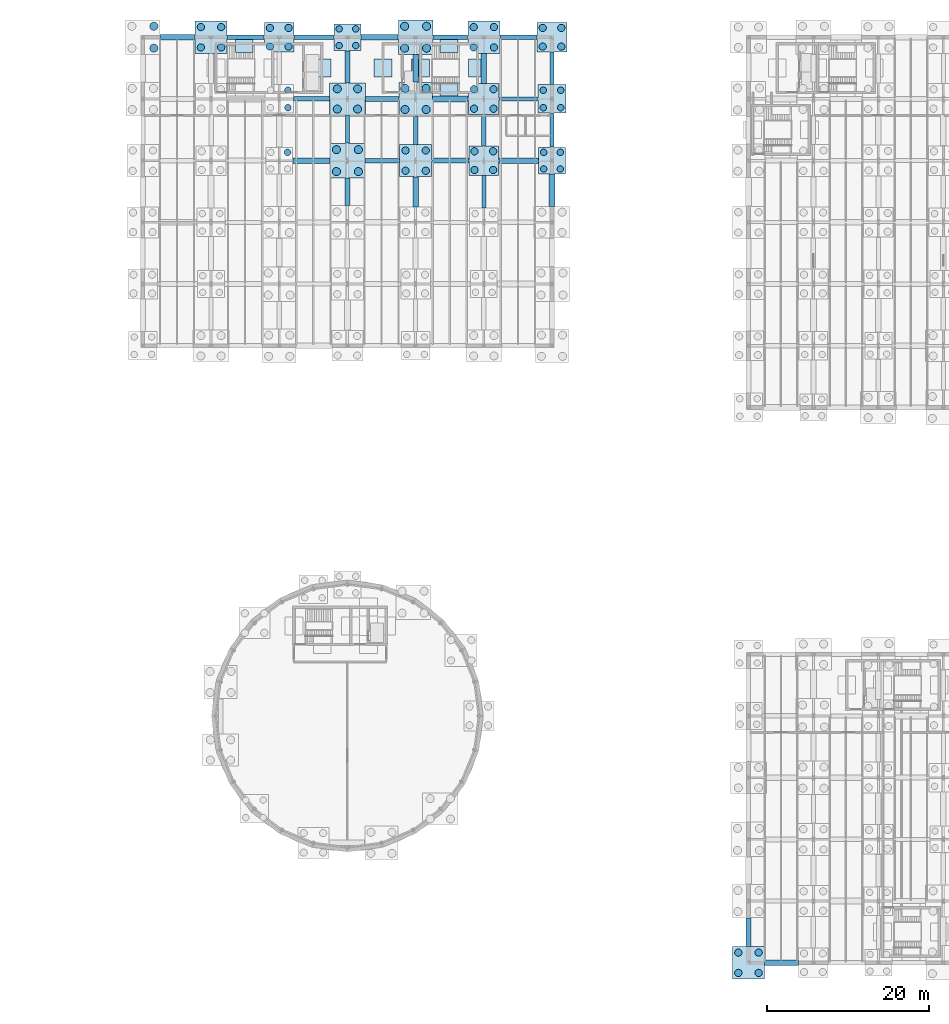
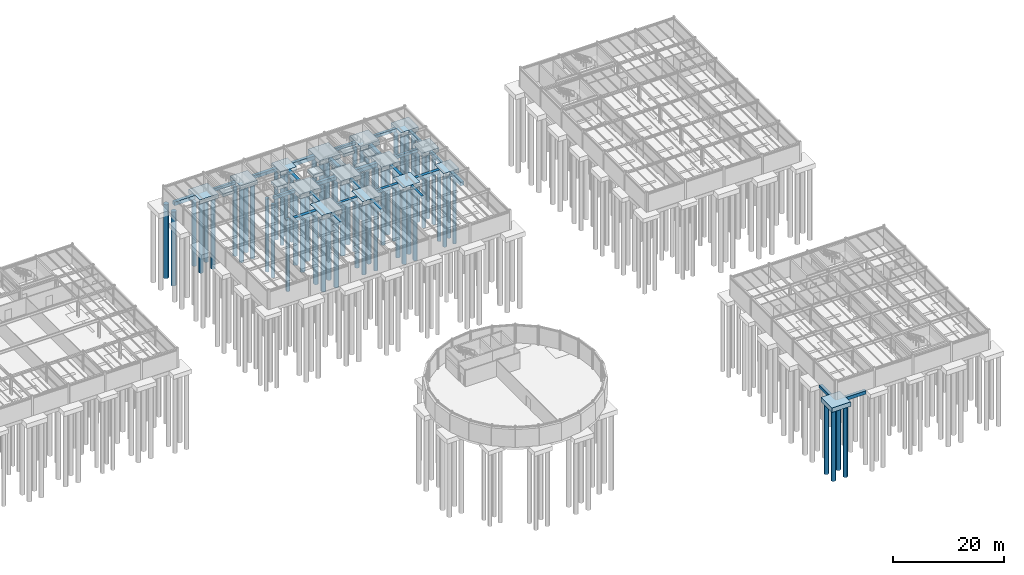
# One storey, part 5 of 33: 65 piles, 50 footings.
"""IFC4 building model written with IfcOpenShell, lengths in metres."""

import ifcopenshell
import ifcopenshell.guid

model = None  # the IFC model being written
_history = None  # IfcOwnerHistory: only IFC2X3 demands one
_inside = {}  # id of a spatial element -> (the spatial element, [elements in it])
_under = {}  # id of a project, library or spatial element -> (it, [spatial elements below it])
_declared = {}  # id of a project -> (the project, [libraries it declares])
_typed = {}  # id of a type object -> (the type object, [elements of that type])
_made_of = {}  # id of a material, layer set ... -> (it, [elements and type objects made of it])


def new_model(schema):
    """Start an empty IFC model of exactly this schema.

    Asked for "IFC4X3", IfcOpenShell would pick the latest addendum, in which some entities
    have other attributes; the version numbers below select the first issue.
    IFC2X3 requires an IfcOwnerHistory on every rooted entity: one is made here for all.
    """
    global model, _history
    if schema == "IFC4X3":
        model = ifcopenshell.file(schema_version=(4, 3, 0, 0))
    else:
        model = ifcopenshell.file(schema=schema)
    _inside.clear()
    _under.clear()
    _declared.clear()
    _typed.clear()
    _made_of.clear()
    _history = None
    if model.schema == "IFC2X3":
        org = make("IfcOrganization", Name="unknown")
        user = make(
            "IfcPersonAndOrganization",
            ThePerson=make("IfcPerson", FamilyName="unknown"),
            TheOrganization=org,
        )
        app = make(
            "IfcApplication",
            ApplicationDeveloper=org,
            Version="unknown",
            ApplicationFullName="unknown",
            ApplicationIdentifier="unknown",
        )
        _history = make(
            "IfcOwnerHistory",
            OwningUser=user,
            OwningApplication=app,
            ChangeAction="ADDED",
            CreationDate=0,
        )
    return model


def make(cls, **values):
    """One entity of the class cls with the attributes given. An attribute that is None is left unset."""
    return model.create_entity(
        cls, **{name: value for name, value in values.items() if value is not None}
    )


def rooted(cls, **values):
    """An entity with a GlobalId (a new one), such as an element, a storey or a relation."""
    return make(cls, GlobalId=ifcopenshell.guid.new(), OwnerHistory=_history, **values)


def si_unit(unit_type, name, prefix=None):
    """IfcSIUnit, for example si_unit("LENGTHUNIT", "METRE", prefix="MILLI")."""
    return make("IfcSIUnit", UnitType=unit_type, Prefix=prefix, Name=name)


def assignment(units):
    """IfcUnitAssignment: the units of a project."""
    return None if units is None else make("IfcUnitAssignment", Units=units)


def point(xyz):
    """IfcCartesianPoint."""
    return None if xyz is None else make("IfcCartesianPoint", Coordinates=xyz)


def direction(xyz):
    """IfcDirection."""
    return None if xyz is None else make("IfcDirection", DirectionRatios=xyz)


def frame(location, z_axis=None, x_axis=None):
    """IfcAxis2Placement3D, a coordinate frame: its origin and axes. An axis left out is left unset."""
    return make(
        "IfcAxis2Placement3D",
        Location=point(location),
        Axis=direction(z_axis),
        RefDirection=direction(x_axis),
    )


def frame_2d(location, x_axis=None):
    """IfcAxis2Placement2D, a coordinate frame in the plane: its origin and x axis."""
    return make(
        "IfcAxis2Placement2D", Location=point(location), RefDirection=direction(x_axis)
    )


def origin():
    """The frame at (0, 0, 0) with its axes left unset."""
    return frame((0.0, 0.0, 0.0))


def origin_2d():
    """The frame at (0, 0) in the plane with its x axis left unset."""
    return frame_2d((0.0, 0.0))


def place(relative_to, where):
    """IfcLocalPlacement: puts the frame where relative to a parent placement (None: the world)."""
    return make(
        "IfcLocalPlacement", PlacementRelTo=relative_to, RelativePlacement=where
    )


def context(
    kind, dimensions, precision=None, world=None, true_north=None, identifier=None
):
    """IfcGeometricRepresentationContext, for example the 3D "Model" context."""
    return make(
        "IfcGeometricRepresentationContext",
        ContextIdentifier=identifier,
        ContextType=kind,
        CoordinateSpaceDimension=dimensions,
        Precision=precision,
        WorldCoordinateSystem=world,
        TrueNorth=true_north,
    )


def subcontext(parent, identifier, kind, view, scale=None):
    """IfcGeometricRepresentationSubContext, for example "Body" below "Model"."""
    return make(
        "IfcGeometricRepresentationSubContext",
        ContextIdentifier=identifier,
        ContextType=kind,
        ParentContext=parent,
        TargetScale=scale,
        TargetView=view,
    )


def project(units=None, contexts=None):
    """IfcProject with its units and contexts."""
    return rooted(
        "IfcProject",
        Name="project",
        RepresentationContexts=contexts,
        UnitsInContext=assignment(units),
    )


def spatial(cls, under=None, at=None, **own):
    """A site, building, storey or space (cls), placed at a placement, below another one or the project."""
    s = rooted(cls, ObjectPlacement=at, **own)
    if under is not None:
        _under.setdefault(under.id(), (under, []))[1].append(s)
    return s


def profile(cls, at=None, kind="AREA", **sizes):
    """A parametric profile (cls). Its sizes go by their IFC names, for example OverallWidth=200.0."""
    return make(cls, ProfileType=kind, Position=at, **sizes)


def rectangle(**sizes):
    """IfcRectangleProfileDef."""
    return profile("IfcRectangleProfileDef", **sizes)


def circle(**sizes):
    """IfcCircleProfileDef."""
    return profile("IfcCircleProfileDef", **sizes)


def extrude(swept, where, along, depth):
    """IfcExtrudedAreaSolid: the profile swept, set in the frame where, extruded along a direction by depth."""
    return make(
        "IfcExtrudedAreaSolid",
        SweptArea=swept,
        Position=where,
        ExtrudedDirection=direction(along),
        Depth=depth,
    )


def shape(context_of_items, identifier, shape_type, items):
    """IfcShapeRepresentation: the items that make up one representation, for example the "Body"."""
    return make(
        "IfcShapeRepresentation",
        ContextOfItems=context_of_items,
        RepresentationIdentifier=identifier,
        RepresentationType=shape_type,
        Items=items,
    )


def material(Name=None, Category=None):
    """IfcMaterial."""
    return make("IfcMaterial", Name=Name, Category=Category)


def material_profile(
    of_material, cross_section, Name=None, Category=None, Priority=None
):
    """IfcMaterialProfile: a cross section and its material."""
    return make(
        "IfcMaterialProfile",
        Name=Name,
        Material=of_material,
        Profile=cross_section,
        Priority=Priority,
        Category=Category,
    )


def profile_set(profiles, Name=None, composite=None):
    """IfcMaterialProfileSet."""
    return make(
        "IfcMaterialProfileSet",
        Name=Name,
        MaterialProfiles=profiles,
        CompositeProfile=composite,
    )


def made_of(thing, what):
    """Note that an element or type object is made of a material, layer set ...; save() writes the relation."""
    if what is not None:
        _made_of.setdefault(what.id(), (what, []))[1].append(thing)
    return thing


def type_object(cls, material=None, **own):
    """A type object (cls), such as IfcWallType, which elements share."""
    return made_of(rooted(cls, **own), material)


def element(
    cls,
    number,
    at=None,
    inside=None,
    cuts=None,
    type_object=None,
    material=None,
    context=None,
    identifier="Body",
    shape_type=None,
    held_by="IfcProductDefinitionShape",
    body=None,
    shapes=None,
    **own,
):
    """One element of the class cls, such as IfcWall. Its Tag is "e" and its number.

    at: its placement. inside: the storey or other place that contains it. cuts: it is an
    opening in that element (IfcRelVoidsElement). A single representation is given by context,
    identifier, shape_type and body (its items); several are given by shapes. held_by: the class
    of the entity that holds the representations. save() writes the other relations.
    """
    e = rooted(cls, Tag="e%d" % number, ObjectPlacement=at, **own)
    if body is not None:
        shapes = [shape(context, identifier, shape_type, body)]
    if shapes is not None:
        e.Representation = make(held_by, Representations=shapes)
    if inside is not None:
        _inside.setdefault(inside.id(), (inside, []))[1].append(e)
    if cuts is not None:
        rooted(
            "IfcRelVoidsElement", RelatingBuildingElement=cuts, RelatedOpeningElement=e
        )
    if type_object is not None:
        _typed.setdefault(type_object.id(), (type_object, []))[1].append(e)
    return made_of(e, material)


def aggregate(whole, parts):
    """IfcRelAggregates: a whole, such as a stair, and the parts it consists of."""
    return rooted("IfcRelAggregates", RelatingObject=whole, RelatedObjects=parts)


def save(model, path):
    """Write the relations noted so far, then the file.

    IfcRelAggregates (storeys below a building ...), IfcRelContainedInSpatialStructure (elements
    in a storey), IfcRelDefinesByType, IfcRelAssociatesMaterial and IfcRelDeclares: one each for
    every whole, place, type object, material and project.
    """
    for whole, parts in _under.values():
        aggregate(whole, parts)
    for where, things in _inside.values():
        rooted(
            "IfcRelContainedInSpatialStructure",
            RelatedElements=things,
            RelatingStructure=where,
        )
    for kind, things in _typed.values():
        rooted("IfcRelDefinesByType", RelatedObjects=things, RelatingType=kind)
    for what, things in _made_of.values():
        rooted("IfcRelAssociatesMaterial", RelatedObjects=things, RelatingMaterial=what)
    for by, libraries in _declared.values():
        rooted("IfcRelDeclares", RelatingContext=by, RelatedDefinitions=libraries)
    model.write(path)


model = new_model("IFC4")

# Units and contexts
model_context = context("Model", 3, precision=1e-05, world=origin(), true_north=direction((0.0, 1.0)))
body_context = subcontext(model_context, "Body", "Model", "MODEL_VIEW")
ifc_project = project(units=[si_unit("LENGTHUNIT", "METRE"), si_unit("AREAUNIT", "SQUARE_METRE"), si_unit("VOLUMEUNIT", "CUBIC_METRE"), si_unit("PLANEANGLEUNIT", "RADIAN"), si_unit("MASSUNIT", "GRAM", prefix="KILO")], contexts=[model_context])

# Site, building, storey
site_placement = place(None, origin())
site = spatial("IfcSite", under=ifc_project, at=site_placement, CompositionType="ELEMENT")
building_placement = place(site_placement, origin())
building = spatial("IfcBuilding", under=site, at=building_placement, Name="Montecoro Central Library", CompositionType="ELEMENT")
storey_placement = place(building_placement, frame((0.0, 0.0, -4.419921875)))
storey = spatial("IfcBuildingStorey", under=building, at=storey_placement, Name="B1", CompositionType="ELEMENT", Elevation=-4.419921875)

# Footings
ifc_material = material(Name="Concrete C35/45", Category="concrete")
footing_type_1 = type_object("IfcFootingType", Name="FT-PAD-220", PredefinedType="PAD_FOOTING", material=ifc_material)
for number, where, z_axis, x_axis, name in (
    (1, (78.89990234375, 118.199951171875, -1.150146484375), (0.0, 0.0, 1.0), (1.0, 0.0, 0.0), "FT-WALL-C2-WN"),
    (2, (88.449951171875, 115.199951171875, -1.150146484375), (0.0, 0.0, 1.0), (1.0, 0.0, 0.0), "FT-WALL-C2-LWE"),
    (3, (104.10009765625, 112.199951171875, -1.150146484375), (0.0, 0.0, 1.0), (1.0, 0.0, 0.0), "FT-WALL-C3-WS"),
    (4, (104.10009765625, 118.199951171875, -1.150146484375), (0.0, 0.0, 1.0), (1.0, 0.0, 0.0), "FT-WALL-C3-WN"),
    (5, (100.60009765625, 115.199951171875, -1.150146484375), (0.0, 0.0, 1.0), (1.0, 0.0, 0.0), "FT-WALL-C3-WW"),
    (6, (107.60009765625, 115.199951171875, -1.150146484375), (0.0, 0.0, 1.0), (1.0, 0.0, 0.0), "FT-WALL-C3-WE"),
    (7, (96.0, 115.199951171875, -1.150146484375), (0.0, 0.0, 1.0), (1.0, 0.0, 0.0), "FT-WALL-C3-LWW"),
):
    element("IfcFooting", number, at=place(storey_placement, frame(where, z_axis=z_axis, x_axis=x_axis)), inside=storey, type_object=footing_type_1, Name=name, PredefinedType="PAD_FOOTING", context=body_context, shape_type="SweptSolid", body=[
        extrude(rectangle(XDim=2.199951171875, YDim=2.199951171875, at=origin_2d()), origin(), (0.0, 0.0, 1.0), 0.64990234375),
    ])
footing_type_2 = type_object("IfcFootingType", Name="FT-PC-330", PredefinedType="PILE_CAP", material=ifc_material)
for number, where, z_axis, x_axis, name in (
    (8, (91.60009765625, 119.0, -0.85009765625), (0.0, 0.0, 1.0), (1.0, 0.0, 0.0), "V2-CAP-12-R"),
    (9, (116.800048828125, 103.800048828125, -0.85009765625), (0.0, 0.0, 1.0), (1.0, 0.0, 0.0), "V2-CAP-15-P"),
):
    element("IfcFooting", number, at=place(storey_placement, frame(where, z_axis=z_axis, x_axis=x_axis)), inside=storey, type_object=footing_type_2, Name=name, PredefinedType="PILE_CAP", context=body_context, shape_type="SweptSolid", body=[
        extrude(rectangle(XDim=3.300048828125, YDim=3.300048828125, at=origin_2d()), origin(), (0.0, 0.0, 1.0), 0.85009765625),
    ])
footing_type_3 = type_object("IfcFootingType", Name="FT-PC-350", PredefinedType="PILE_CAP", material=ifc_material)
footing_1_placement = place(storey_placement, frame((116.800048828125, 111.39990234375, -0.880126953125), z_axis=(0.0, 0.0, 1.0), x_axis=(1.0, 0.0, 0.0)))
element("IfcFooting", 10, at=footing_1_placement, inside=storey, type_object=footing_type_3, Name="V2-CAP-15-Q", PredefinedType="PILE_CAP", context=body_context, shape_type="SweptSolid", body=[
    extrude(rectangle(XDim=3.5, YDim=3.5, at=origin_2d()), origin(), (0.0, 0.0, 1.0), 0.8798828125),
])
footing_type_4 = type_object("IfcFootingType", Name="FT-PC-365", PredefinedType="PILE_CAP", material=ifc_material)
for number, where, z_axis, x_axis, name in (
    (11, (83.199951171875, 119.0, -0.900146484375), (0.0, 0.0, 1.0), (1.0, 0.0, 0.0), "V2-CAP-11-R"),
    (12, (108.39990234375, 103.800048828125, -0.900146484375), (0.0, 0.0, 1.0), (1.0, 0.0, 0.0), "V2-CAP-14-P"),
    (13, (116.800048828125, 119.0, -0.900146484375), (0.0, 0.0, 1.0), (1.0, 0.0, 0.0), "V2-CAP-15-R"),
):
    element("IfcFooting", number, at=place(storey_placement, frame(where, z_axis=z_axis, x_axis=x_axis)), inside=storey, type_object=footing_type_4, Name=name, PredefinedType="PILE_CAP", context=body_context, shape_type="SweptSolid", body=[
        extrude(rectangle(XDim=3.64990234375, YDim=3.64990234375, at=origin_2d()), origin(), (0.0, 0.0, 1.0), 0.89990234375),
    ])
footing_type_5 = type_object("IfcFootingType", Name="FT-PC-380", PredefinedType="PILE_CAP", material=ifc_material)
footing_2_placement = place(storey_placement, frame((108.39990234375, 111.39990234375, -0.9501953125), z_axis=(0.0, 0.0, 1.0), x_axis=(1.0, 0.0, 0.0)))
element("IfcFooting", 14, at=footing_2_placement, inside=storey, type_object=footing_type_5, Name="V2-CAP-14-Q", PredefinedType="PILE_CAP", context=body_context, shape_type="SweptSolid", body=[
    extrude(rectangle(XDim=3.800048828125, YDim=3.800048828125, at=origin_2d()), origin(), (0.0, 0.0, 1.0), 0.949951171875),
])
footing_type_6 = type_object("IfcFootingType", Name="FT-PC-395", PredefinedType="PILE_CAP", material=ifc_material)
for number, where, z_axis, x_axis, name in (
    (15, (74.800048828125, 119.0, -0.97998046875), (0.0, 0.0, 1.0), (1.0, 0.0, 0.0), "V2-CAP-10-R"),
    (16, (100.0, 103.800048828125, -0.97998046875), (0.0, 0.0, 1.0), (1.0, 0.0, 0.0), "V2-CAP-13-P"),
    (17, (108.39990234375, 119.0, -0.97998046875), (0.0, 0.0, 1.0), (1.0, 0.0, 0.0), "V2-CAP-14-R"),
    (18, (141.0, 5.0, -0.97998046875), (0.0, 0.0, 1.0), (1.0, 0.0, 0.0), "V6-CAP-18-A"),
):
    element("IfcFooting", number, at=place(storey_placement, frame(where, z_axis=z_axis, x_axis=x_axis)), inside=storey, type_object=footing_type_6, Name=name, PredefinedType="PILE_CAP", context=body_context, shape_type="SweptSolid", body=[
        extrude(rectangle(XDim=3.949951171875, YDim=3.949951171875, at=origin_2d()), origin(), (0.0, 0.0, 1.0), 0.97998046875),
    ])
footing_type_7 = type_object("IfcFootingType", Name="FT-PC-410", PredefinedType="PILE_CAP", material=ifc_material)
footing_3_placement = place(storey_placement, frame((100.0, 111.39990234375, -1.02001953125), z_axis=(0.0, 0.0, 1.0), x_axis=(1.0, 0.0, 0.0)))
element("IfcFooting", 19, at=footing_3_placement, inside=storey, type_object=footing_type_7, Name="V2-CAP-13-Q", PredefinedType="PILE_CAP", context=body_context, shape_type="SweptSolid", body=[
    extrude(rectangle(XDim=4.10009765625, YDim=4.10009765625, at=origin_2d()), origin(), (0.0, 0.0, 1.0), 1.02001953125),
])
footing_type_8 = type_object("IfcFootingType", Name="FT-PC-425", PredefinedType="PILE_CAP", material=ifc_material)
for number, where, z_axis, x_axis, name in (
    (20, (91.60009765625, 103.800048828125, -1.06005859375), (0.0, 0.0, 1.0), (1.0, 0.0, 0.0), "V2-CAP-12-P"),
    (21, (100.0, 119.0, -1.06005859375), (0.0, 0.0, 1.0), (1.0, 0.0, 0.0), "V2-CAP-13-R"),
):
    element("IfcFooting", number, at=place(storey_placement, frame(where, z_axis=z_axis, x_axis=x_axis)), inside=storey, type_object=footing_type_8, Name=name, PredefinedType="PILE_CAP", context=body_context, shape_type="SweptSolid", body=[
        extrude(rectangle(XDim=4.25, YDim=4.25, at=origin_2d()), origin(), (0.0, 0.0, 1.0), 1.06005859375),
    ])
footing_type_9 = type_object("IfcFootingType", Name="FT-PC-440", PredefinedType="PILE_CAP", material=ifc_material)
footing_4_placement = place(storey_placement, frame((91.60009765625, 111.39990234375, -1.05029296875), z_axis=(0.0, 0.0, 1.0), x_axis=(1.0, 0.0, 0.0)))
element("IfcFooting", 22, at=footing_4_placement, inside=storey, type_object=footing_type_9, Name="V2-CAP-12-Q", PredefinedType="PILE_CAP", context=body_context, shape_type="SweptSolid", body=[
    extrude(rectangle(XDim=4.39990234375, YDim=3.89990234375, at=origin_2d()), origin(), (0.0, 0.0, 1.0), 1.050048828125),
])
footing_type_10 = type_object("IfcFootingType", Name="FT-TB-01", PredefinedType="FOOTING_BEAM", material=ifc_material)
footing_5_placement = place(storey_placement, frame((79.074951171875, 119.0, -0.60009765625), z_axis=(0.0, 0.0, 1.0), x_axis=(1.0, 0.0, 0.0)))
element("IfcFooting", 23, at=footing_5_placement, inside=storey, type_object=footing_type_10, Name="FT-TBX-070", PredefinedType="FOOTING_BEAM", context=body_context, shape_type="SweptSolid", body=[
    extrude(rectangle(XDim=4.56005859375, YDim=0.5, at=origin_2d()), origin(), (0.0, 0.0, 1.0), 0.60009765625),
])
footing_6_placement = place(storey_placement, frame((91.60009765625, 107.68798828125, -0.60009765625), z_axis=(0.0, 0.0, 1.0), x_axis=(1.0, 0.0, 0.0)))
element("IfcFooting", 24, at=footing_6_placement, inside=storey, type_object=footing_type_10, Name="FT-TBY-090", PredefinedType="FOOTING_BEAM", context=body_context, shape_type="SweptSolid", body=[
    extrude(rectangle(XDim=0.5, YDim=3.485107421875, at=origin_2d()), origin(), (0.0, 0.0, 1.0), 0.60009765625),
])
footing_7_placement = place(storey_placement, frame((104.27490234375, 119.0, -0.60009765625), z_axis=(0.0, 0.0, 1.0), x_axis=(1.0, 0.0, 0.0)))
element("IfcFooting", 25, at=footing_7_placement, inside=storey, type_object=footing_type_10, Name="FT-TBX-105", PredefinedType="FOOTING_BEAM", context=body_context, shape_type="SweptSolid", body=[
    extrude(rectangle(XDim=4.260009765625, YDim=0.5, at=origin_2d()), origin(), (0.0, 0.0, 1.0), 0.60009765625),
])
footing_8_placement = place(storey_placement, frame((108.39990234375, 99.962890625, -0.60009765625), z_axis=(0.0, 0.0, 1.0), x_axis=(1.0, 0.0, 0.0)))
element("IfcFooting", 26, at=footing_8_placement, inside=storey, type_object=footing_type_10, Name="FT-TBY-110", PredefinedType="FOOTING_BEAM", context=body_context, shape_type="SweptSolid", body=[
    extrude(rectangle(XDim=0.5, YDim=3.985107421875, at=origin_2d()), origin(), (0.0, 0.0, 1.0), 0.60009765625),
])
footing_9_placement = place(storey_placement, frame((112.675048828125, 111.39990234375, -0.60009765625), z_axis=(0.0, 0.0, 1.0), x_axis=(1.0, 0.0, 0.0)))
element("IfcFooting", 27, at=footing_9_placement, inside=storey, type_object=footing_type_10, Name="FT-TBX-115", PredefinedType="FOOTING_BEAM", context=body_context, shape_type="SweptSolid", body=[
    extrude(rectangle(XDim=4.7099609375, YDim=0.5, at=origin_2d()), origin(), (0.0, 0.0, 1.0), 0.60009765625),
])
footing_10_placement = place(storey_placement, frame((116.800048828125, 107.550048828125, -0.60009765625), z_axis=(0.0, 0.0, 1.0), x_axis=(1.0, 0.0, 0.0)))
element("IfcFooting", 28, at=footing_10_placement, inside=storey, type_object=footing_type_10, Name="FT-TBY-120", PredefinedType="FOOTING_BEAM", context=body_context, shape_type="SweptSolid", body=[
    extrude(rectangle(XDim=0.5, YDim=4.159912109375, at=origin_2d()), origin(), (0.0, 0.0, 1.0), 0.60009765625),
])
footing_type_11 = type_object("IfcFootingType", Name="FT-TB-02", PredefinedType="FOOTING_BEAM", material=ifc_material)
footing_11_placement = place(storey_placement, frame((87.175048828125, 111.39990234375, -0.650146484375), z_axis=(0.0, 0.0, 1.0), x_axis=(1.0, 0.0, 0.0)))
element("IfcFooting", 29, at=footing_11_placement, inside=storey, type_object=footing_type_11, Name="FT-TBX-081", PredefinedType="FOOTING_BEAM", context=body_context, shape_type="SweptSolid", body=[
    extrude(rectangle(XDim=4.409912109375, YDim=0.550048828125, at=origin_2d()), origin(), (0.0, 0.0, 1.0), 0.64990234375),
])
footing_12_placement = place(storey_placement, frame((95.875, 103.800048828125, -0.650146484375), z_axis=(0.0, 0.0, 1.0), x_axis=(1.0, 0.0, 0.0)))
element("IfcFooting", 30, at=footing_12_placement, inside=storey, type_object=footing_type_11, Name="FT-TBX-091", PredefinedType="FOOTING_BEAM", context=body_context, shape_type="SweptSolid", body=[
    extrude(rectangle(XDim=4.260009765625, YDim=0.550048828125, at=origin_2d()), origin(), (0.0, 0.0, 1.0), 0.64990234375),
])
footing_13_placement = place(storey_placement, frame((100.0, 107.56201171875, -0.650146484375), z_axis=(0.0, 0.0, 1.0), x_axis=(1.0, 0.0, 0.0)))
element("IfcFooting", 31, at=footing_13_placement, inside=storey, type_object=footing_type_11, Name="FT-TBY-101", PredefinedType="FOOTING_BEAM", context=body_context, shape_type="SweptSolid", body=[
    extrude(rectangle(XDim=0.550048828125, YDim=3.534912109375, at=origin_2d()), origin(), (0.0, 0.0, 1.0), 0.64990234375),
])
footing_14_placement = place(storey_placement, frame((112.675048828125, 119.0, -0.650146484375), z_axis=(0.0, 0.0, 1.0), x_axis=(1.0, 0.0, 0.0)))
element("IfcFooting", 32, at=footing_14_placement, inside=storey, type_object=footing_type_11, Name="FT-TBX-116", PredefinedType="FOOTING_BEAM", context=body_context, shape_type="SweptSolid", body=[
    extrude(rectangle(XDim=4.56005859375, YDim=0.550048828125, at=origin_2d()), origin(), (0.0, 0.0, 1.0), 0.64990234375),
])
footing_15_placement = place(storey_placement, frame((116.800048828125, 115.162109375, -0.650146484375), z_axis=(0.0, 0.0, 1.0), x_axis=(1.0, 0.0, 0.0)))
element("IfcFooting", 33, at=footing_15_placement, inside=storey, type_object=footing_type_11, Name="FT-TBY-121", PredefinedType="FOOTING_BEAM", context=body_context, shape_type="SweptSolid", body=[
    extrude(rectangle(XDim=0.550048828125, YDim=3.985107421875, at=origin_2d()), origin(), (0.0, 0.0, 1.0), 0.64990234375),
])
footing_type_12 = type_object("IfcFootingType", Name="FT-TB-03", PredefinedType="FOOTING_BEAM", material=ifc_material)
footing_16_placement = place(storey_placement, frame((87.488037109375, 119.0, -0.7001953125), z_axis=(0.0, 0.0, 1.0), x_axis=(1.0, 0.0, 0.0)))
element("IfcFooting", 34, at=footing_16_placement, inside=storey, type_object=footing_type_12, Name="FT-TBX-082", PredefinedType="FOOTING_BEAM", context=body_context, shape_type="SweptSolid", body=[
    extrude(rectangle(XDim=4.885009765625, YDim=0.60009765625, at=origin_2d()), origin(), (0.0, 0.0, 1.0), 0.699951171875),
])
footing_17_placement = place(storey_placement, frame((91.60009765625, 115.35009765625, -0.7001953125), z_axis=(0.0, 0.0, 1.0), x_axis=(1.0, 0.0, 0.0)))
element("IfcFooting", 35, at=footing_17_placement, inside=storey, type_object=footing_type_12, Name="FT-TBY-092", PredefinedType="FOOTING_BEAM", context=body_context, shape_type="SweptSolid", body=[
    extrude(rectangle(XDim=0.60009765625, YDim=3.9599609375, at=origin_2d()), origin(), (0.0, 0.0, 1.0), 0.699951171875),
])
footing_18_placement = place(storey_placement, frame((104.27490234375, 103.800048828125, -0.7001953125), z_axis=(0.0, 0.0, 1.0), x_axis=(1.0, 0.0, 0.0)))
element("IfcFooting", 36, at=footing_18_placement, inside=storey, type_object=footing_type_12, Name="FT-TBX-102", PredefinedType="FOOTING_BEAM", context=body_context, shape_type="SweptSolid", body=[
    extrude(rectangle(XDim=4.56005859375, YDim=0.60009765625, at=origin_2d()), origin(), (0.0, 0.0, 1.0), 0.699951171875),
])
footing_19_placement = place(storey_placement, frame((108.39990234375, 107.56201171875, -0.7001953125), z_axis=(0.0, 0.0, 1.0), x_axis=(1.0, 0.0, 0.0)))
element("IfcFooting", 37, at=footing_19_placement, inside=storey, type_object=footing_type_12, Name="FT-TBY-112", PredefinedType="FOOTING_BEAM", context=body_context, shape_type="SweptSolid", body=[
    extrude(rectangle(XDim=0.60009765625, YDim=3.8349609375, at=origin_2d()), origin(), (0.0, 0.0, 1.0), 0.699951171875),
])
footing_20_placement = place(storey_placement, frame((141.0, 8.761962890625, -0.7001953125), z_axis=(0.0, 0.0, 1.0), x_axis=(1.0, 0.0, 0.0)))
element("IfcFooting", 38, at=footing_20_placement, inside=storey, type_object=footing_type_12, Name="FT-TBY-122", PredefinedType="FOOTING_BEAM", context=body_context, shape_type="SweptSolid", body=[
    extrude(rectangle(XDim=0.60009765625, YDim=3.534912109375, at=origin_2d()), origin(), (0.0, 0.0, 1.0), 0.699951171875),
])
footing_type_13 = type_object("IfcFootingType", Name="FT-TB-04", PredefinedType="FOOTING_BEAM", material=ifc_material)
footing_21_placement = place(storey_placement, frame((91.60009765625, 99.962890625, -0.75), z_axis=(0.0, 0.0, 1.0), x_axis=(1.0, 0.0, 0.0)))
element("IfcFooting", 39, at=footing_21_placement, inside=storey, type_object=footing_type_13, Name="FT-TBY-088", PredefinedType="FOOTING_BEAM", context=body_context, shape_type="SweptSolid", body=[
    extrude(rectangle(XDim=0.64990234375, YDim=3.385009765625, at=origin_2d()), origin(), (0.0, 0.0, 1.0), 0.75),
])
footing_22_placement = place(storey_placement, frame((95.875, 111.39990234375, -0.75), z_axis=(0.0, 0.0, 1.0), x_axis=(1.0, 0.0, 0.0)))
element("IfcFooting", 40, at=footing_22_placement, inside=storey, type_object=footing_type_13, Name="FT-TBX-093", PredefinedType="FOOTING_BEAM", context=body_context, shape_type="SweptSolid", body=[
    extrude(rectangle(XDim=4.110107421875, YDim=0.64990234375, at=origin_2d()), origin(), (0.0, 0.0, 1.0), 0.75),
])
footing_23_placement = place(storey_placement, frame((100.0, 115.162109375, -0.75), z_axis=(0.0, 0.0, 1.0), x_axis=(1.0, 0.0, 0.0)))
element("IfcFooting", 41, at=footing_23_placement, inside=storey, type_object=footing_type_13, Name="FT-TBY-103", PredefinedType="FOOTING_BEAM", context=body_context, shape_type="SweptSolid", body=[
    extrude(rectangle(XDim=0.64990234375, YDim=3.385009765625, at=origin_2d()), origin(), (0.0, 0.0, 1.0), 0.75),
])
footing_24_placement = place(storey_placement, frame((112.68798828125, 103.800048828125, -0.75), z_axis=(0.0, 0.0, 1.0), x_axis=(1.0, 0.0, 0.0)))
element("IfcFooting", 42, at=footing_24_placement, inside=storey, type_object=footing_type_13, Name="FT-TBX-113", PredefinedType="FOOTING_BEAM", context=body_context, shape_type="SweptSolid", body=[
    extrude(rectangle(XDim=4.885009765625, YDim=0.64990234375, at=origin_2d()), origin(), (0.0, 0.0, 1.0), 0.75),
])
footing_25_placement = place(storey_placement, frame((145.074951171875, 5.0, -0.75), z_axis=(0.0, 0.0, 1.0), x_axis=(1.0, 0.0, 0.0)))
element("IfcFooting", 43, at=footing_25_placement, inside=storey, type_object=footing_type_13, Name="FT-TBX-123", PredefinedType="FOOTING_BEAM", context=body_context, shape_type="SweptSolid", body=[
    extrude(rectangle(XDim=4.159912109375, YDim=0.64990234375, at=origin_2d()), origin(), (0.0, 0.0, 1.0), 0.75),
])
footing_type_14 = type_object("IfcFootingType", Name="FT-TB-05", PredefinedType="FOOTING_BEAM", material=ifc_material)
footing_26_placement = place(storey_placement, frame((70.675048828125, 119.0, -0.80029296875), z_axis=(0.0, 0.0, 1.0), x_axis=(1.0, 0.0, 0.0)))
element("IfcFooting", 44, at=footing_26_placement, inside=storey, type_object=footing_type_14, Name="FT-TBX-059", PredefinedType="FOOTING_BEAM", context=body_context, shape_type="SweptSolid", body=[
    extrude(rectangle(XDim=4.260009765625, YDim=0.699951171875, at=origin_2d()), origin(), (0.0, 0.0, 1.0), 0.800048828125),
])
for number, where, z_axis, x_axis, name in (
    (45, (87.162109375, 103.800048828125, -0.80029296875), (0.0, 0.0, 1.0), (1.0, 0.0, 0.0), "FT-TBX-079"),
    (46, (95.56201171875, 119.0, -0.80029296875), (0.0, 0.0, 1.0), (1.0, 0.0, 0.0), "FT-TBX-094"),
):
    element("IfcFooting", number, at=place(storey_placement, frame(where, z_axis=z_axis, x_axis=x_axis)), inside=storey, type_object=footing_type_14, Name=name, PredefinedType="FOOTING_BEAM", context=body_context, shape_type="SweptSolid", body=[
        extrude(rectangle(XDim=4.5849609375, YDim=0.699951171875, at=origin_2d()), origin(), (0.0, 0.0, 1.0), 0.800048828125),
    ])
footing_27_placement = place(storey_placement, frame((100.0, 99.962890625, -0.80029296875), z_axis=(0.0, 0.0, 1.0), x_axis=(1.0, 0.0, 0.0)))
element("IfcFooting", 47, at=footing_27_placement, inside=storey, type_object=footing_type_14, Name="FT-TBY-099", PredefinedType="FOOTING_BEAM", context=body_context, shape_type="SweptSolid", body=[
    extrude(rectangle(XDim=0.699951171875, YDim=3.68505859375, at=origin_2d()), origin(), (0.0, 0.0, 1.0), 0.800048828125),
])
footing_28_placement = place(storey_placement, frame((104.27490234375, 111.39990234375, -0.80029296875), z_axis=(0.0, 0.0, 1.0), x_axis=(1.0, 0.0, 0.0)))
element("IfcFooting", 48, at=footing_28_placement, inside=storey, type_object=footing_type_14, Name="FT-TBX-104", PredefinedType="FOOTING_BEAM", context=body_context, shape_type="SweptSolid", body=[
    extrude(rectangle(XDim=4.409912109375, YDim=0.699951171875, at=origin_2d()), origin(), (0.0, 0.0, 1.0), 0.800048828125),
])
footing_29_placement = place(storey_placement, frame((108.39990234375, 115.162109375, -0.80029296875), z_axis=(0.0, 0.0, 1.0), x_axis=(1.0, 0.0, 0.0)))
element("IfcFooting", 49, at=footing_29_placement, inside=storey, type_object=footing_type_14, Name="FT-TBY-114", PredefinedType="FOOTING_BEAM", context=body_context, shape_type="SweptSolid", body=[
    extrude(rectangle(XDim=0.699951171875, YDim=3.68505859375, at=origin_2d()), origin(), (0.0, 0.0, 1.0), 0.800048828125),
])
footing_30_placement = place(storey_placement, frame((116.800048828125, 100.14990234375, -0.80029296875), z_axis=(0.0, 0.0, 1.0), x_axis=(1.0, 0.0, 0.0)))
element("IfcFooting", 50, at=footing_30_placement, inside=storey, type_object=footing_type_14, Name="FT-TBY-119", PredefinedType="FOOTING_BEAM", context=body_context, shape_type="SweptSolid", body=[
    extrude(rectangle(XDim=0.699951171875, YDim=3.9599609375, at=origin_2d()), origin(), (0.0, 0.0, 1.0), 0.800048828125),
])

# Piles
ifc_material_profile_1 = material_profile(ifc_material, circle(Radius=0.5, at=origin_2d()), Name="PILE D1000")
ifc_profile_set_1 = profile_set([ifc_material_profile_1], Name="Concrete C35/45")
pile_type_1 = type_object("IfcPileType", Name="PL-BORED-1000", PredefinedType="BORED", material=ifc_profile_set_1)
for number, where, z_axis, x_axis, name in (
    (51, (67.75, 117.64990234375, -0.9599609375), (0.0, 0.0, -1.0), (1.0, 0.0, 0.0), "V2-CAP-9-R-P3"),
    (52, (67.75, 120.35009765625, -0.9599609375), (0.0, 0.0, -1.0), (1.0, 0.0, 0.0), "V2-CAP-9-R-P4"),
    (53, (90.25, 102.449951171875, -0.9599609375), (0.0, 0.0, -1.0), (1.0, 0.0, 0.0), "V2-CAP-12-P-P1"),
    (54, (90.25, 105.14990234375, -0.9599609375), (0.0, 0.0, -1.0), (1.0, 0.0, 0.0), "V2-CAP-12-P-P2"),
    (55, (92.949951171875, 102.449951171875, -0.9599609375), (0.0, 0.0, -1.0), (1.0, 0.0, 0.0), "V2-CAP-12-P-P3"),
    (56, (92.949951171875, 105.14990234375, -0.9599609375), (0.0, 0.0, -1.0), (1.0, 0.0, 0.0), "V2-CAP-12-P-P4"),
):
    element("IfcPile", number, at=place(storey_placement, frame(where, z_axis=z_axis, x_axis=x_axis)), inside=storey, type_object=pile_type_1, Name=name, PredefinedType="BORED", context=body_context, shape_type="SweptSolid", body=[
        extrude(circle(Radius=0.5, at=origin_2d()), origin(), (0.0, 0.0, 1.0), 16.320068359375),
    ])
for number, where, z_axis, x_axis, name in (
    (57, (90.35009765625, 110.14990234375, -0.9501953125), (0.0, 0.0, -1.0), (1.0, 0.0, 0.0), "V2-CAP-12-Q-P1"),
    (58, (90.35009765625, 112.64990234375, -0.9501953125), (0.0, 0.0, -1.0), (1.0, 0.0, 0.0), "V2-CAP-12-Q-P2"),
    (59, (92.85009765625, 110.14990234375, -0.9501953125), (0.0, 0.0, -1.0), (1.0, 0.0, 0.0), "V2-CAP-12-Q-P3"),
    (60, (92.85009765625, 112.64990234375, -0.9501953125), (0.0, 0.0, -1.0), (1.0, 0.0, 0.0), "V2-CAP-12-Q-P4"),
):
    element("IfcPile", number, at=place(storey_placement, frame(where, z_axis=z_axis, x_axis=x_axis)), inside=storey, type_object=pile_type_1, Name=name, PredefinedType="BORED", context=body_context, shape_type="SweptSolid", body=[
        extrude(circle(Radius=0.5, at=origin_2d()), origin(), (0.0, 0.0, 1.0), 16.679931640625),
    ])
for number, where, z_axis, x_axis, name in (
    (61, (98.699951171875, 110.10009765625, -0.920166015625), (0.0, 0.0, -1.0), (1.0, 0.0, 0.0), "V2-CAP-13-Q-P1"),
    (62, (98.699951171875, 112.699951171875, -0.920166015625), (0.0, 0.0, -1.0), (1.0, 0.0, 0.0), "V2-CAP-13-Q-P2"),
    (63, (101.300048828125, 110.10009765625, -0.920166015625), (0.0, 0.0, -1.0), (1.0, 0.0, 0.0), "V2-CAP-13-Q-P3"),
    (64, (101.300048828125, 112.699951171875, -0.920166015625), (0.0, 0.0, -1.0), (1.0, 0.0, 0.0), "V2-CAP-13-Q-P4"),
):
    element("IfcPile", number, at=place(storey_placement, frame(where, z_axis=z_axis, x_axis=x_axis)), inside=storey, type_object=pile_type_1, Name=name, PredefinedType="BORED", context=body_context, shape_type="SweptSolid", body=[
        extrude(circle(Radius=0.5, at=origin_2d()), origin(), (0.0, 0.0, 1.0), 16.010009765625),
    ])
for number, where, z_axis, x_axis, name in (
    (65, (98.64990234375, 117.64990234375, -0.9599609375), (0.0, 0.0, -1.0), (1.0, 0.0, 0.0), "V2-CAP-13-R-P1"),
    (66, (98.64990234375, 120.35009765625, -0.9599609375), (0.0, 0.0, -1.0), (1.0, 0.0, 0.0), "V2-CAP-13-R-P2"),
    (67, (101.35009765625, 117.64990234375, -0.9599609375), (0.0, 0.0, -1.0), (1.0, 0.0, 0.0), "V2-CAP-13-R-P3"),
    (68, (101.35009765625, 120.35009765625, -0.9599609375), (0.0, 0.0, -1.0), (1.0, 0.0, 0.0), "V2-CAP-13-R-P4"),
):
    element("IfcPile", number, at=place(storey_placement, frame(where, z_axis=z_axis, x_axis=x_axis)), inside=storey, type_object=pile_type_1, Name=name, PredefinedType="BORED", context=body_context, shape_type="SweptSolid", body=[
        extrude(circle(Radius=0.5, at=origin_2d()), origin(), (0.0, 0.0, 1.0), 16.320068359375),
    ])
ifc_material_profile_2 = material_profile(ifc_material, circle(Radius=0.39990234375, at=origin_2d()), Name="PILE D800")
ifc_profile_set_2 = profile_set([ifc_material_profile_2], Name="Concrete C35/45")
pile_type_2 = type_object("IfcPileType", Name="PL-BORED-800", PredefinedType="BORED", material=ifc_profile_set_2)
pile_placement = place(storey_placement, frame((84.22509765625, 104.824951171875, -0.75), z_axis=(0.0, 0.0, -1.0), x_axis=(1.0, 0.0, 0.0)))
element("IfcPile", 69, at=pile_placement, inside=storey, type_object=pile_type_2, Name="V2-CAP-11-P-P4", PredefinedType="BORED", context=body_context, shape_type="SweptSolid", body=[
    extrude(circle(Radius=0.39990234375, at=origin_2d()), origin(), (0.0, 0.0, 1.0), 15.830078125),
])
for number, where, z_axis, x_axis, name in (
    (70, (84.27490234375, 110.324951171875, -0.780029296875), (0.0, 0.0, -1.0), (1.0, 0.0, 0.0), "V2-CAP-11-Q-P3"),
    (71, (84.27490234375, 112.47509765625, -0.780029296875), (0.0, 0.0, -1.0), (1.0, 0.0, 0.0), "V2-CAP-11-Q-P4"),
):
    element("IfcPile", number, at=place(storey_placement, frame(where, z_axis=z_axis, x_axis=x_axis)), inside=storey, type_object=pile_type_2, Name=name, PredefinedType="BORED", context=body_context, shape_type="SweptSolid", body=[
        extrude(circle(Radius=0.39990234375, at=origin_2d()), origin(), (0.0, 0.0, 1.0), 16.14990234375),
    ])
for number, where, z_axis, x_axis, name in (
    (72, (90.574951171875, 117.97509765625, -0.75), (0.0, 0.0, -1.0), (1.0, 0.0, 0.0), "V2-CAP-12-R-P1"),
    (73, (90.574951171875, 120.02490234375, -0.75), (0.0, 0.0, -1.0), (1.0, 0.0, 0.0), "V2-CAP-12-R-P2"),
    (74, (92.625, 117.97509765625, -0.75), (0.0, 0.0, -1.0), (1.0, 0.0, 0.0), "V2-CAP-12-R-P3"),
    (75, (92.625, 120.02490234375, -0.75), (0.0, 0.0, -1.0), (1.0, 0.0, 0.0), "V2-CAP-12-R-P4"),
    (76, (115.77490234375, 102.77490234375, -0.75), (0.0, 0.0, -1.0), (1.0, 0.0, 0.0), "V2-CAP-15-P-P1"),
    (77, (115.77490234375, 104.824951171875, -0.75), (0.0, 0.0, -1.0), (1.0, 0.0, 0.0), "V2-CAP-15-P-P2"),
    (78, (117.824951171875, 102.77490234375, -0.75), (0.0, 0.0, -1.0), (1.0, 0.0, 0.0), "V2-CAP-15-P-P3"),
    (79, (117.824951171875, 104.824951171875, -0.75), (0.0, 0.0, -1.0), (1.0, 0.0, 0.0), "V2-CAP-15-P-P4"),
):
    element("IfcPile", number, at=place(storey_placement, frame(where, z_axis=z_axis, x_axis=x_axis)), inside=storey, type_object=pile_type_2, Name=name, PredefinedType="BORED", context=body_context, shape_type="SweptSolid", body=[
        extrude(circle(Radius=0.39990234375, at=origin_2d()), origin(), (0.0, 0.0, 1.0), 15.830078125),
    ])
for number, where, z_axis, x_axis, name in (
    (80, (115.72509765625, 110.324951171875, -0.780029296875), (0.0, 0.0, -1.0), (1.0, 0.0, 0.0), "V2-CAP-15-Q-P1"),
    (81, (115.72509765625, 112.47509765625, -0.780029296875), (0.0, 0.0, -1.0), (1.0, 0.0, 0.0), "V2-CAP-15-Q-P2"),
    (82, (117.875, 110.324951171875, -0.780029296875), (0.0, 0.0, -1.0), (1.0, 0.0, 0.0), "V2-CAP-15-Q-P3"),
    (83, (117.875, 112.47509765625, -0.780029296875), (0.0, 0.0, -1.0), (1.0, 0.0, 0.0), "V2-CAP-15-Q-P4"),
):
    element("IfcPile", number, at=place(storey_placement, frame(where, z_axis=z_axis, x_axis=x_axis)), inside=storey, type_object=pile_type_2, Name=name, PredefinedType="BORED", context=body_context, shape_type="SweptSolid", body=[
        extrude(circle(Radius=0.39990234375, at=origin_2d()), origin(), (0.0, 0.0, 1.0), 16.14990234375),
    ])
ifc_material_profile_3 = material_profile(ifc_material, circle(Radius=0.449951171875, at=origin_2d()), Name="PILE D900")
ifc_profile_set_3 = profile_set([ifc_material_profile_3], Name="Concrete C35/45")
pile_type_3 = type_object("IfcPileType", Name="PL-BORED-900", PredefinedType="BORED", material=ifc_profile_set_3)
for number, where, z_axis, x_axis, name in (
    (84, (73.550048828125, 117.75, -0.880126953125), (0.0, 0.0, -1.0), (1.0, 0.0, 0.0), "V2-CAP-10-R-P1"),
    (85, (73.550048828125, 120.25, -0.880126953125), (0.0, 0.0, -1.0), (1.0, 0.0, 0.0), "V2-CAP-10-R-P2"),
    (86, (76.050048828125, 117.75, -0.880126953125), (0.0, 0.0, -1.0), (1.0, 0.0, 0.0), "V2-CAP-10-R-P3"),
    (87, (76.050048828125, 120.25, -0.880126953125), (0.0, 0.0, -1.0), (1.0, 0.0, 0.0), "V2-CAP-10-R-P4"),
):
    element("IfcPile", number, at=place(storey_placement, frame(where, z_axis=z_axis, x_axis=x_axis)), inside=storey, type_object=pile_type_3, Name=name, PredefinedType="BORED", context=body_context, shape_type="SweptSolid", body=[
        extrude(circle(Radius=0.449951171875, at=origin_2d()), origin(), (0.0, 0.0, 1.0), 15.699951171875),
    ])
for number, where, z_axis, x_axis, name in (
    (88, (82.050048828125, 117.85009765625, -0.800048828125), (0.0, 0.0, -1.0), (1.0, 0.0, 0.0), "V2-CAP-11-R-P1"),
    (89, (82.050048828125, 120.14990234375, -0.800048828125), (0.0, 0.0, -1.0), (1.0, 0.0, 0.0), "V2-CAP-11-R-P2"),
    (90, (84.35009765625, 117.85009765625, -0.800048828125), (0.0, 0.0, -1.0), (1.0, 0.0, 0.0), "V2-CAP-11-R-P3"),
    (91, (84.35009765625, 120.14990234375, -0.800048828125), (0.0, 0.0, -1.0), (1.0, 0.0, 0.0), "V2-CAP-11-R-P4"),
):
    element("IfcPile", number, at=place(storey_placement, frame(where, z_axis=z_axis, x_axis=x_axis)), inside=storey, type_object=pile_type_3, Name=name, PredefinedType="BORED", context=body_context, shape_type="SweptSolid", body=[
        extrude(circle(Radius=0.449951171875, at=origin_2d()), origin(), (0.0, 0.0, 1.0), 16.47998046875),
    ])
for number, where, z_axis, x_axis, name in (
    (92, (98.75, 102.550048828125, -0.880126953125), (0.0, 0.0, -1.0), (1.0, 0.0, 0.0), "V2-CAP-13-P-P1"),
    (93, (98.75, 105.050048828125, -0.880126953125), (0.0, 0.0, -1.0), (1.0, 0.0, 0.0), "V2-CAP-13-P-P2"),
    (94, (101.25, 102.550048828125, -0.880126953125), (0.0, 0.0, -1.0), (1.0, 0.0, 0.0), "V2-CAP-13-P-P3"),
    (95, (101.25, 105.050048828125, -0.880126953125), (0.0, 0.0, -1.0), (1.0, 0.0, 0.0), "V2-CAP-13-P-P4"),
):
    element("IfcPile", number, at=place(storey_placement, frame(where, z_axis=z_axis, x_axis=x_axis)), inside=storey, type_object=pile_type_3, Name=name, PredefinedType="BORED", context=body_context, shape_type="SweptSolid", body=[
        extrude(circle(Radius=0.449951171875, at=origin_2d()), origin(), (0.0, 0.0, 1.0), 15.699951171875),
    ])
for number, where, z_axis, x_axis, name in (
    (96, (107.25, 102.64990234375, -0.800048828125), (0.0, 0.0, -1.0), (1.0, 0.0, 0.0), "V2-CAP-14-P-P1"),
    (97, (107.25, 104.949951171875, -0.800048828125), (0.0, 0.0, -1.0), (1.0, 0.0, 0.0), "V2-CAP-14-P-P2"),
    (98, (109.550048828125, 102.64990234375, -0.800048828125), (0.0, 0.0, -1.0), (1.0, 0.0, 0.0), "V2-CAP-14-P-P3"),
    (99, (109.550048828125, 104.949951171875, -0.800048828125), (0.0, 0.0, -1.0), (1.0, 0.0, 0.0), "V2-CAP-14-P-P4"),
):
    element("IfcPile", number, at=place(storey_placement, frame(where, z_axis=z_axis, x_axis=x_axis)), inside=storey, type_object=pile_type_3, Name=name, PredefinedType="BORED", context=body_context, shape_type="SweptSolid", body=[
        extrude(circle(Radius=0.449951171875, at=origin_2d()), origin(), (0.0, 0.0, 1.0), 16.47998046875),
    ])
for number, where, z_axis, x_axis, name in (
    (100, (107.199951171875, 110.199951171875, -0.85009765625), (0.0, 0.0, -1.0), (1.0, 0.0, 0.0), "V2-CAP-14-Q-P1"),
    (101, (107.199951171875, 112.60009765625, -0.85009765625), (0.0, 0.0, -1.0), (1.0, 0.0, 0.0), "V2-CAP-14-Q-P2"),
    (102, (109.60009765625, 110.199951171875, -0.85009765625), (0.0, 0.0, -1.0), (1.0, 0.0, 0.0), "V2-CAP-14-Q-P3"),
    (103, (109.60009765625, 112.60009765625, -0.85009765625), (0.0, 0.0, -1.0), (1.0, 0.0, 0.0), "V2-CAP-14-Q-P4"),
):
    element("IfcPile", number, at=place(storey_placement, frame(where, z_axis=z_axis, x_axis=x_axis)), inside=storey, type_object=pile_type_3, Name=name, PredefinedType="BORED", context=body_context, shape_type="SweptSolid", body=[
        extrude(circle(Radius=0.449951171875, at=origin_2d()), origin(), (0.0, 0.0, 1.0), 16.780029296875),
    ])
for number, where, z_axis, x_axis, name in (
    (104, (107.14990234375, 117.75, -0.880126953125), (0.0, 0.0, -1.0), (1.0, 0.0, 0.0), "V2-CAP-14-R-P1"),
    (105, (107.14990234375, 120.25, -0.880126953125), (0.0, 0.0, -1.0), (1.0, 0.0, 0.0), "V2-CAP-14-R-P2"),
    (106, (109.64990234375, 117.75, -0.880126953125), (0.0, 0.0, -1.0), (1.0, 0.0, 0.0), "V2-CAP-14-R-P3"),
    (107, (109.64990234375, 120.25, -0.880126953125), (0.0, 0.0, -1.0), (1.0, 0.0, 0.0), "V2-CAP-14-R-P4"),
):
    element("IfcPile", number, at=place(storey_placement, frame(where, z_axis=z_axis, x_axis=x_axis)), inside=storey, type_object=pile_type_3, Name=name, PredefinedType="BORED", context=body_context, shape_type="SweptSolid", body=[
        extrude(circle(Radius=0.449951171875, at=origin_2d()), origin(), (0.0, 0.0, 1.0), 15.699951171875),
    ])
for number, where, z_axis, x_axis, name in (
    (108, (115.64990234375, 117.85009765625, -0.800048828125), (0.0, 0.0, -1.0), (1.0, 0.0, 0.0), "V2-CAP-15-R-P1"),
    (109, (115.64990234375, 120.14990234375, -0.800048828125), (0.0, 0.0, -1.0), (1.0, 0.0, 0.0), "V2-CAP-15-R-P2"),
    (110, (117.949951171875, 117.85009765625, -0.800048828125), (0.0, 0.0, -1.0), (1.0, 0.0, 0.0), "V2-CAP-15-R-P3"),
    (111, (117.949951171875, 120.14990234375, -0.800048828125), (0.0, 0.0, -1.0), (1.0, 0.0, 0.0), "V2-CAP-15-R-P4"),
):
    element("IfcPile", number, at=place(storey_placement, frame(where, z_axis=z_axis, x_axis=x_axis)), inside=storey, type_object=pile_type_3, Name=name, PredefinedType="BORED", context=body_context, shape_type="SweptSolid", body=[
        extrude(circle(Radius=0.449951171875, at=origin_2d()), origin(), (0.0, 0.0, 1.0), 16.47998046875),
    ])
for number, where, z_axis, x_axis, name in (
    (112, (139.75, 3.75, -0.880126953125), (0.0, 0.0, -1.0), (1.0, 0.0, 0.0), "V6-CAP-18-A-P1"),
    (113, (139.75, 6.25, -0.880126953125), (0.0, 0.0, -1.0), (1.0, 0.0, 0.0), "V6-CAP-18-A-P2"),
    (114, (142.25, 3.75, -0.880126953125), (0.0, 0.0, -1.0), (1.0, 0.0, 0.0), "V6-CAP-18-A-P3"),
    (115, (142.25, 6.25, -0.880126953125), (0.0, 0.0, -1.0), (1.0, 0.0, 0.0), "V6-CAP-18-A-P4"),
):
    element("IfcPile", number, at=place(storey_placement, frame(where, z_axis=z_axis, x_axis=x_axis)), inside=storey, type_object=pile_type_3, Name=name, PredefinedType="BORED", context=body_context, shape_type="SweptSolid", body=[
        extrude(circle(Radius=0.449951171875, at=origin_2d()), origin(), (0.0, 0.0, 1.0), 15.699951171875),
    ])

save(model, "model.ifc")
